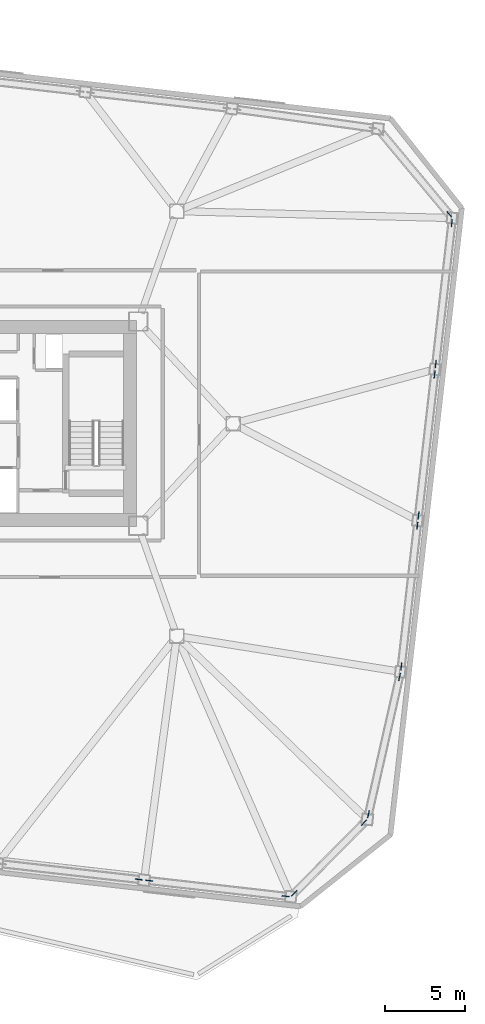
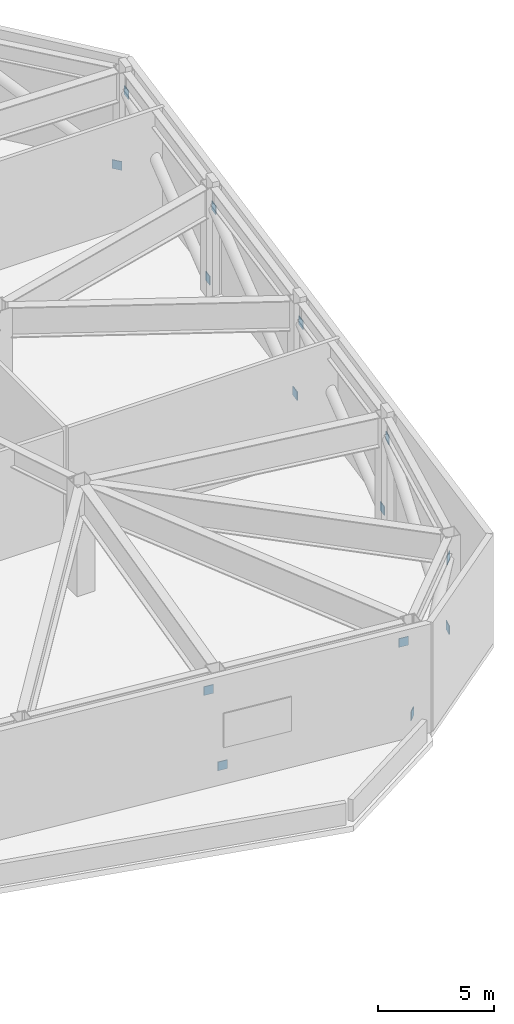
# One storey, part 12 of 14: 14 discrete accessories.
"""IFC4 building model written with IfcOpenShell, lengths in metres."""

import ifcopenshell
import ifcopenshell.guid

model = None  # the IFC model being written
_history = None  # IfcOwnerHistory: only IFC2X3 demands one
_inside = {}  # id of a spatial element -> (the spatial element, [elements in it])
_under = {}  # id of a project, library or spatial element -> (it, [spatial elements below it])
_declared = {}  # id of a project -> (the project, [libraries it declares])
_typed = {}  # id of a type object -> (the type object, [elements of that type])
_made_of = {}  # id of a material, layer set ... -> (it, [elements and type objects made of it])


def new_model(schema):
    """Start an empty IFC model of exactly this schema.

    Asked for "IFC4X3", IfcOpenShell would pick the latest addendum, in which some entities
    have other attributes; the version numbers below select the first issue.
    IFC2X3 requires an IfcOwnerHistory on every rooted entity: one is made here for all.
    """
    global model, _history
    if schema == "IFC4X3":
        model = ifcopenshell.file(schema_version=(4, 3, 0, 0))
    else:
        model = ifcopenshell.file(schema=schema)
    _inside.clear()
    _under.clear()
    _declared.clear()
    _typed.clear()
    _made_of.clear()
    _history = None
    if model.schema == "IFC2X3":
        org = make("IfcOrganization", Name="unknown")
        user = make(
            "IfcPersonAndOrganization",
            ThePerson=make("IfcPerson", FamilyName="unknown"),
            TheOrganization=org,
        )
        app = make(
            "IfcApplication",
            ApplicationDeveloper=org,
            Version="unknown",
            ApplicationFullName="unknown",
            ApplicationIdentifier="unknown",
        )
        _history = make(
            "IfcOwnerHistory",
            OwningUser=user,
            OwningApplication=app,
            ChangeAction="ADDED",
            CreationDate=0,
        )
    return model


def make(cls, **values):
    """One entity of the class cls with the attributes given. An attribute that is None is left unset."""
    return model.create_entity(
        cls, **{name: value for name, value in values.items() if value is not None}
    )


def rooted(cls, **values):
    """An entity with a GlobalId (a new one), such as an element, a storey or a relation."""
    return make(cls, GlobalId=ifcopenshell.guid.new(), OwnerHistory=_history, **values)


def si_unit(unit_type, name, prefix=None):
    """IfcSIUnit, for example si_unit("LENGTHUNIT", "METRE", prefix="MILLI")."""
    return make("IfcSIUnit", UnitType=unit_type, Prefix=prefix, Name=name)


def assignment(units):
    """IfcUnitAssignment: the units of a project."""
    return None if units is None else make("IfcUnitAssignment", Units=units)


def point(xyz):
    """IfcCartesianPoint."""
    return None if xyz is None else make("IfcCartesianPoint", Coordinates=xyz)


def direction(xyz):
    """IfcDirection."""
    return None if xyz is None else make("IfcDirection", DirectionRatios=xyz)


def frame(location, z_axis=None, x_axis=None):
    """IfcAxis2Placement3D, a coordinate frame: its origin and axes. An axis left out is left unset."""
    return make(
        "IfcAxis2Placement3D",
        Location=point(location),
        Axis=direction(z_axis),
        RefDirection=direction(x_axis),
    )


def frame_2d(location, x_axis=None):
    """IfcAxis2Placement2D, a coordinate frame in the plane: its origin and x axis."""
    return make(
        "IfcAxis2Placement2D", Location=point(location), RefDirection=direction(x_axis)
    )


def origin():
    """The frame at (0, 0, 0) with its axes left unset."""
    return frame((0.0, 0.0, 0.0))


def origin_2d():
    """The frame at (0, 0) in the plane with its x axis left unset."""
    return frame_2d((0.0, 0.0))


def place(relative_to, where):
    """IfcLocalPlacement: puts the frame where relative to a parent placement (None: the world)."""
    return make(
        "IfcLocalPlacement", PlacementRelTo=relative_to, RelativePlacement=where
    )


def context(
    kind, dimensions, precision=None, world=None, true_north=None, identifier=None
):
    """IfcGeometricRepresentationContext, for example the 3D "Model" context."""
    return make(
        "IfcGeometricRepresentationContext",
        ContextIdentifier=identifier,
        ContextType=kind,
        CoordinateSpaceDimension=dimensions,
        Precision=precision,
        WorldCoordinateSystem=world,
        TrueNorth=true_north,
    )


def subcontext(parent, identifier, kind, view, scale=None):
    """IfcGeometricRepresentationSubContext, for example "Body" below "Model"."""
    return make(
        "IfcGeometricRepresentationSubContext",
        ContextIdentifier=identifier,
        ContextType=kind,
        ParentContext=parent,
        TargetScale=scale,
        TargetView=view,
    )


def project(units=None, contexts=None):
    """IfcProject with its units and contexts."""
    return rooted(
        "IfcProject",
        Name="project",
        RepresentationContexts=contexts,
        UnitsInContext=assignment(units),
    )


def spatial(cls, under=None, at=None, **own):
    """A site, building, storey or space (cls), placed at a placement, below another one or the project."""
    s = rooted(cls, ObjectPlacement=at, **own)
    if under is not None:
        _under.setdefault(under.id(), (under, []))[1].append(s)
    return s


def profile(cls, at=None, kind="AREA", **sizes):
    """A parametric profile (cls). Its sizes go by their IFC names, for example OverallWidth=200.0."""
    return make(cls, ProfileType=kind, Position=at, **sizes)


def rectangle(**sizes):
    """IfcRectangleProfileDef."""
    return profile("IfcRectangleProfileDef", **sizes)


def extrude(swept, where, along, depth):
    """IfcExtrudedAreaSolid: the profile swept, set in the frame where, extruded along a direction by depth."""
    return make(
        "IfcExtrudedAreaSolid",
        SweptArea=swept,
        Position=where,
        ExtrudedDirection=direction(along),
        Depth=depth,
    )


def shape(context_of_items, identifier, shape_type, items):
    """IfcShapeRepresentation: the items that make up one representation, for example the "Body"."""
    return make(
        "IfcShapeRepresentation",
        ContextOfItems=context_of_items,
        RepresentationIdentifier=identifier,
        RepresentationType=shape_type,
        Items=items,
    )


def material(Name=None, Category=None):
    """IfcMaterial."""
    return make("IfcMaterial", Name=Name, Category=Category)


def made_of(thing, what):
    """Note that an element or type object is made of a material, layer set ...; save() writes the relation."""
    if what is not None:
        _made_of.setdefault(what.id(), (what, []))[1].append(thing)
    return thing


def type_object(cls, material=None, **own):
    """A type object (cls), such as IfcWallType, which elements share."""
    return made_of(rooted(cls, **own), material)


def element(
    cls,
    number,
    at=None,
    inside=None,
    cuts=None,
    type_object=None,
    material=None,
    context=None,
    identifier="Body",
    shape_type=None,
    held_by="IfcProductDefinitionShape",
    body=None,
    shapes=None,
    **own,
):
    """One element of the class cls, such as IfcWall. Its Tag is "e" and its number.

    at: its placement. inside: the storey or other place that contains it. cuts: it is an
    opening in that element (IfcRelVoidsElement). A single representation is given by context,
    identifier, shape_type and body (its items); several are given by shapes. held_by: the class
    of the entity that holds the representations. save() writes the other relations.
    """
    e = rooted(cls, Tag="e%d" % number, ObjectPlacement=at, **own)
    if body is not None:
        shapes = [shape(context, identifier, shape_type, body)]
    if shapes is not None:
        e.Representation = make(held_by, Representations=shapes)
    if inside is not None:
        _inside.setdefault(inside.id(), (inside, []))[1].append(e)
    if cuts is not None:
        rooted(
            "IfcRelVoidsElement", RelatingBuildingElement=cuts, RelatedOpeningElement=e
        )
    if type_object is not None:
        _typed.setdefault(type_object.id(), (type_object, []))[1].append(e)
    return made_of(e, material)


def aggregate(whole, parts):
    """IfcRelAggregates: a whole, such as a stair, and the parts it consists of."""
    return rooted("IfcRelAggregates", RelatingObject=whole, RelatedObjects=parts)


def save(model, path):
    """Write the relations noted so far, then the file.

    IfcRelAggregates (storeys below a building ...), IfcRelContainedInSpatialStructure (elements
    in a storey), IfcRelDefinesByType, IfcRelAssociatesMaterial and IfcRelDeclares: one each for
    every whole, place, type object, material and project.
    """
    for whole, parts in _under.values():
        aggregate(whole, parts)
    for where, things in _inside.values():
        rooted(
            "IfcRelContainedInSpatialStructure",
            RelatedElements=things,
            RelatingStructure=where,
        )
    for kind, things in _typed.values():
        rooted("IfcRelDefinesByType", RelatedObjects=things, RelatingType=kind)
    for what, things in _made_of.values():
        rooted("IfcRelAssociatesMaterial", RelatedObjects=things, RelatingMaterial=what)
    for by, libraries in _declared.values():
        rooted("IfcRelDeclares", RelatingContext=by, RelatedDefinitions=libraries)
    model.write(path)


model = new_model("IFC4")

# Units and contexts
model_context = context("Model", 3, precision=1e-05, world=origin(), true_north=direction((0.0, 1.0)))
body_context = subcontext(model_context, "Body", "Model", "MODEL_VIEW")
ifc_project = project(units=[si_unit("LENGTHUNIT", "METRE"), si_unit("AREAUNIT", "SQUARE_METRE"), si_unit("VOLUMEUNIT", "CUBIC_METRE"), si_unit("PLANEANGLEUNIT", "RADIAN"), si_unit("MASSUNIT", "GRAM", prefix="KILO")], contexts=[model_context])

# Site, building, storey
site_placement = place(None, origin())
site = spatial("IfcSite", under=ifc_project, at=site_placement, CompositionType="ELEMENT")
building_placement = place(site_placement, origin())
building = spatial("IfcBuilding", under=site, at=building_placement, Name="Tavrogorsk Clinical Tower", CompositionType="ELEMENT")
storey_placement = place(building_placement, frame((0.0, 0.0, 83.39990234375)))
storey = spatial("IfcBuildingStorey", under=building, at=storey_placement, Name="L18", CompositionType="ELEMENT", Elevation=83.39990234375)

# Discrete accessories
ifc_material = material(Name="Structural steel S440", Category="steel")
discrete_accessory_type = type_object("IfcDiscreteAccessoryType", Name="GussetPlateBracket_25", PredefinedType="BRACKET", material=ifc_material)
for number, where, z_axis, x_axis, name in (
    (1, (22.133056640625, -28.324462890625, 4.431396484375), (0.0, 0.0, 1.0), (0.993571855677, -0.113203213768, 0.0), "L18 Brace Gusset Plate EXOBELT-L18-06-B"),
    (2, (22.78515625, -28.398681640625, 0.276123046875), (0.0, 0.0, 1.0), (0.993571855677, -0.113203213768, 0.0), "L18 Brace Gusset Plate EXOBELT-L18-07-A"),
    (3, (31.262939453125, -29.364501953125, 4.404296875), (0.0, 0.0, 1.0), (0.993571855677, -0.113203213768, 0.0), "L18 Brace Gusset Plate EXOBELT-L18-07-B"),
    (4, (31.79345703125, -29.188232421875, 0.316650390625), (0.0, 0.0, 1.0), (0.702898299792, 0.711290362756, 0.0), "L18 Brace Gusset Plate EXOBELT-L18-08-A"),
    (5, (36.12548828125, -24.804443359375, 4.363525390625), (0.0, 0.0, 1.0), (0.702898299792, 0.711290362756, 0.0), "L18 Brace Gusset Plate EXOBELT-L18-08-B"),
    (6, (36.4072265625, -24.27587890625, 0.27294921875), (0.0, 0.0, 1.0), (0.220527202313, 0.975380824622, 0.0), "L18 Brace Gusset Plate EXOBELT-L18-09-A"),
    (7, (38.337890625, -15.73974609375, 4.4072265625), (0.0, 0.0, 1.0), (0.220527202313, 0.975380824622, 0.0), "L18 Brace Gusset Plate EXOBELT-L18-09-B"),
    (8, (38.44580078125, -15.101806640625, 0.272216796875), (0.0, 0.0, 1.0), (0.113203213768, 0.993571855677, 0.0), "L18 Brace Gusset Plate EXOBELT-L18-10-A"),
    (9, (39.443359375, -6.3466796875, 4.407958984375), (0.0, 0.0, 1.0), (0.113203213768, 0.993571855677, 0.0), "L18 Brace Gusset Plate EXOBELT-L18-10-B"),
    (10, (39.516845703125, -5.70263671875, 0.272216796875), (0.0, 0.0, 1.0), (0.113203213768, 0.993571855677, 0.0), "L18 Brace Gusset Plate EXOBELT-L18-11-A"),
    (11, (40.514404296875, 3.052490234375, 4.407958984375), (0.0, 0.0, 1.0), (0.113203213768, 0.993571855677, 0.0), "L18 Brace Gusset Plate EXOBELT-L18-11-B"),
    (12, (40.587646484375, 3.6962890625, 0.272216796875), (0.0, 0.0, 1.0), (0.113203213768, 0.993571855677, 0.0), "L18 Brace Gusset Plate EXOBELT-L18-12-A"),
    (13, (41.585205078125, 12.45166015625, 4.407958984375), (0.0, 0.0, 1.0), (0.113203213768, 0.993571855677, 0.0), "L18 Brace Gusset Plate EXOBELT-L18-12-B"),
    (14, (41.426513671875, 13.0078125, 0.3076171875), (0.0, 0.0, 1.0), (-0.640243780506, 0.768171791674, 0.0), "L18 Brace Gusset Plate EXOBELT-L18-13-A"),
):
    element("IfcDiscreteAccessory", number, at=place(storey_placement, frame(where, z_axis=z_axis, x_axis=x_axis)), inside=storey, type_object=discrete_accessory_type, Name=name, PredefinedType="BRACKET", context=body_context, shape_type="SweptSolid", body=[
        extrude(rectangle(XDim=0.4599609375, YDim=0.0400390625, at=origin_2d()), origin(), (0.0, 0.0, 1.0), 0.4599609375),
    ])

save(model, "model.ifc")
